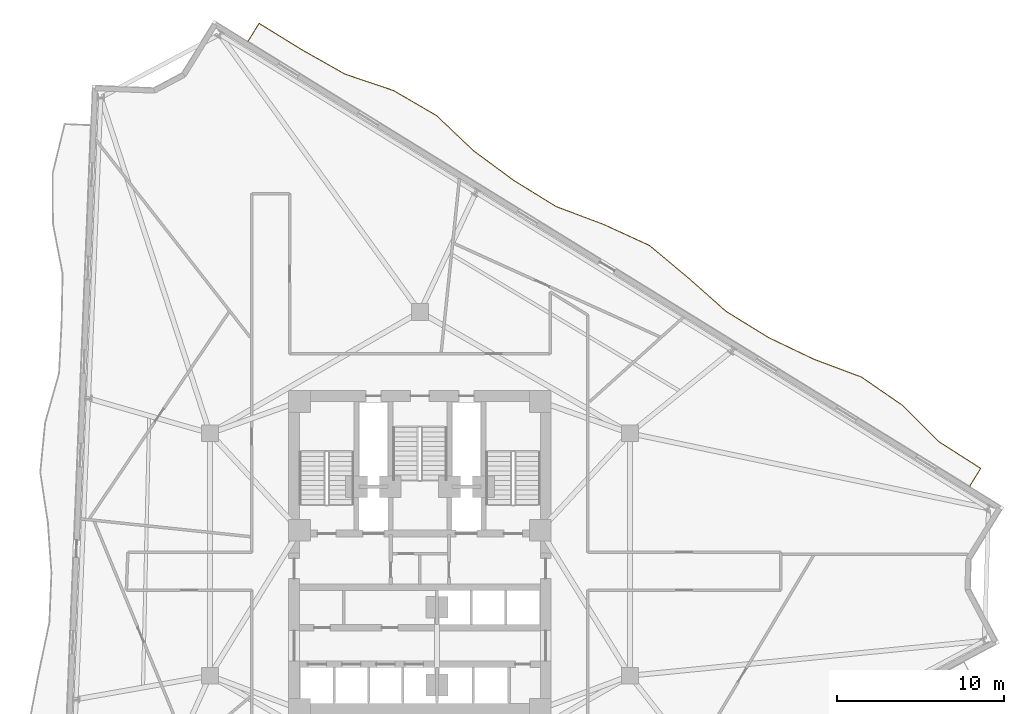
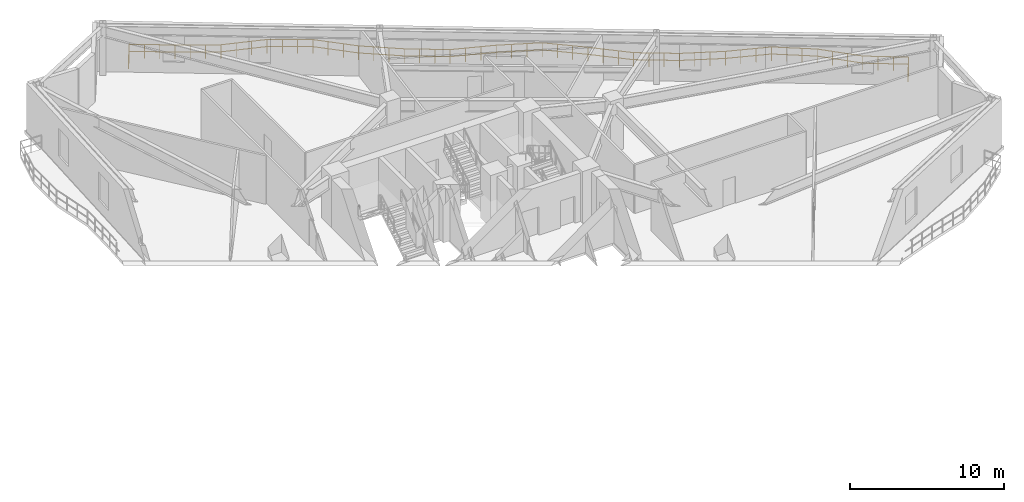
# One storey, part 12 of 12: 1 railing.
"""IFC4 building model written with IfcOpenShell, lengths in metres."""

from ifc_helpers import new_model, si_unit, direction, frame, origin, origin_2d, place, context, subcontext, project, spatial, rectangle, extrude, material, type_object, element, save


model = new_model("IFC4")

# Units and contexts
model_context = context("Model", 3, precision=1e-05, world=origin(), true_north=direction((0.0, 1.0)))
body_context = subcontext(model_context, "Body", "Model", "MODEL_VIEW")
ifc_project = project(units=[si_unit("LENGTHUNIT", "METRE"), si_unit("AREAUNIT", "SQUARE_METRE"), si_unit("VOLUMEUNIT", "CUBIC_METRE"), si_unit("PLANEANGLEUNIT", "RADIAN"), si_unit("MASSUNIT", "GRAM", prefix="KILO")], contexts=[model_context])

# Site, building, storey
site_placement = place(None, origin())
site = spatial("IfcSite", under=ifc_project, at=site_placement, CompositionType="ELEMENT")
building_placement = place(site_placement, origin())
building = spatial("IfcBuilding", under=site, at=building_placement, Name="Apsidion Concourse Tower", CompositionType="ELEMENT")
storey_placement = place(building_placement, frame((0.0, 0.0, 173.699951171875)))
storey = spatial("IfcBuildingStorey", under=building, at=storey_placement, Name="L40", CompositionType="ELEMENT", Elevation=173.699951171875)

# Railing
ifc_material = material(Name="Brushed stainless steel 316", Category="steel")
railing_type = type_object("IfcRailingType", Name="RL-BAL-1120", PredefinedType="BALUSTRADE", material=ifc_material)
railing_placement = place(storey_placement, frame((-10.277587890625, 30.70458984375, 0.0)))
element("IfcRailing", 1, at=railing_placement, inside=storey, type_object=railing_type, Name="L40 Face 3 Rippling Balcony Balustrade", PredefinedType="BALUSTRADE", context=body_context, shape_type="SweptSolid", body=[
    extrude(rectangle(XDim=0.048095703125, YDim=0.048095703125, at=origin_2d()), frame((0.0, 0.0, 1.09619140625), z_axis=(0.524914650279, 0.851154868354, 0.0), x_axis=(-0.851154868354, 0.524914650279, 0.0)), (0.0, 0.0, 1.0), 1.249755859375),
    extrude(rectangle(XDim=0.048095703125, YDim=0.048095703125, at=origin_2d()), frame((0.0, 0.0, 0.5361328125), z_axis=(0.524914650279, 0.851154868354, 0.0), x_axis=(-0.851154868354, 0.524914650279, 0.0)), (0.0, 0.0, 1.0), 1.249755859375),
    extrude(rectangle(XDim=0.048095703125, YDim=0.048095703125, at=origin_2d()), frame((0.656005859375, 1.063720703125, 1.09619140625), z_axis=(0.851183058053, -0.524868937625, 0.0), x_axis=(0.524868937625, 0.851183058053, 0.0)), (0.0, 0.0, 1.0), 2.98291015625),
    extrude(rectangle(XDim=0.048095703125, YDim=0.048095703125, at=origin_2d()), frame((0.656005859375, 1.063720703125, 0.5361328125), z_axis=(0.851183058053, -0.524868937625, 0.0), x_axis=(0.524868937625, 0.851183058053, 0.0)), (0.0, 0.0, 1.0), 2.98291015625),
    extrude(rectangle(XDim=0.048095703125, YDim=0.048095703125, at=origin_2d()), frame((3.195068359375, -0.501953125, 1.09619140625), z_axis=(0.870389131229, -0.492364458748, 0.0), x_axis=(0.492364458748, 0.870389131229, 0.0)), (0.0, 0.0, 1.0), 2.985107421875),
    extrude(rectangle(XDim=0.048095703125, YDim=0.048095703125, at=origin_2d()), frame((3.195068359375, -0.501953125, 0.5361328125), z_axis=(0.870389131229, -0.492364458748, 0.0), x_axis=(0.492364458748, 0.870389131229, 0.0)), (0.0, 0.0, 1.0), 2.985107421875),
    extrude(rectangle(XDim=0.048095703125, YDim=0.048095703125, at=origin_2d()), frame((5.793212890625, -1.9716796875, 1.09619140625), z_axis=(0.947351133553, -0.320196548633, 0.0), x_axis=(0.320196548633, 0.947351133553, 0.0)), (0.0, 0.0, 1.0), 3.061279296875),
    extrude(rectangle(XDim=0.048095703125, YDim=0.048095703125, at=origin_2d()), frame((5.793212890625, -1.9716796875, 0.5361328125), z_axis=(0.947351133553, -0.320196548633, 0.0), x_axis=(0.320196548633, 0.947351133553, 0.0)), (0.0, 0.0, 1.0), 3.061279296875),
    extrude(rectangle(XDim=0.048095703125, YDim=0.048095703125, at=origin_2d()), frame((8.693359375, -2.951904296875, 1.09619140625), z_axis=(0.864268143203, -0.503031387335, 0.0), x_axis=(0.503031387335, 0.864268143203, 0.0)), (0.0, 0.0, 1.0), 2.98388671875),
    extrude(rectangle(XDim=0.048095703125, YDim=0.048095703125, at=origin_2d()), frame((8.693359375, -2.951904296875, 0.5361328125), z_axis=(0.864268143203, -0.503031387335, 0.0), x_axis=(0.503031387335, 0.864268143203, 0.0)), (0.0, 0.0, 1.0), 2.98388671875),
    extrude(rectangle(XDim=0.048095703125, YDim=0.048095703125, at=origin_2d()), frame((11.272216796875, -4.452880859375, 1.09619140625), z_axis=(0.724583421385, -0.689187104823, 0.0), x_axis=(0.689187104823, 0.724583421385, 0.0)), (0.0, 0.0, 1.0), 3.048583984375),
    extrude(rectangle(XDim=0.048095703125, YDim=0.048095703125, at=origin_2d()), frame((11.272216796875, -4.452880859375, 0.5361328125), z_axis=(0.724583421385, -0.689187104823, 0.0), x_axis=(0.689187104823, 0.724583421385, 0.0)), (0.0, 0.0, 1.0), 3.048583984375),
    extrude(rectangle(XDim=0.048095703125, YDim=0.048095703125, at=origin_2d()), frame((13.481201171875, -6.553955078125, 1.09619140625), z_axis=(0.804760537313, -0.593599593652, 0.0), x_axis=(0.593599593652, 0.804760537313, 0.0)), (0.0, 0.0, 1.0), 2.993408203125),
    extrude(rectangle(XDim=0.048095703125, YDim=0.048095703125, at=origin_2d()), frame((13.481201171875, -6.553955078125, 0.5361328125), z_axis=(0.804760537313, -0.593599593652, 0.0), x_axis=(0.593599593652, 0.804760537313, 0.0)), (0.0, 0.0, 1.0), 2.993408203125),
    extrude(rectangle(XDim=0.048095703125, YDim=0.048095703125, at=origin_2d()), frame((15.89013671875, -8.330810546875, 1.09619140625), z_axis=(0.851183058053, -0.524868937625, 0.0), x_axis=(0.524868937625, 0.851183058053, 0.0)), (0.0, 0.0, 1.0), 2.98291015625),
    extrude(rectangle(XDim=0.048095703125, YDim=0.048095703125, at=origin_2d()), frame((15.89013671875, -8.330810546875, 0.5361328125), z_axis=(0.851183058053, -0.524868937625, 0.0), x_axis=(0.524868937625, 0.851183058053, 0.0)), (0.0, 0.0, 1.0), 2.98291015625),
    extrude(rectangle(XDim=0.048095703125, YDim=0.048095703125, at=origin_2d()), frame((18.42919921875, -9.896484375, 1.09619140625), z_axis=(0.936223507367, -0.351405099925, 0.0), x_axis=(0.351405099925, 0.936223507367, 0.0)), (0.0, 0.0, 1.0), 3.03955078125),
    extrude(rectangle(XDim=0.048095703125, YDim=0.048095703125, at=origin_2d()), frame((18.42919921875, -9.896484375, 0.5361328125), z_axis=(0.936223507367, -0.351405099925, 0.0), x_axis=(0.351405099925, 0.936223507367, 0.0)), (0.0, 0.0, 1.0), 3.03955078125),
    extrude(rectangle(XDim=0.048095703125, YDim=0.048095703125, at=origin_2d()), frame((21.27490234375, -10.964599609375, 1.09619140625), z_axis=(0.908571861718, -0.417728586638, 0.0), x_axis=(0.417728586638, 0.908571861718, 0.0)), (0.0, 0.0, 1.0), 3.005126953125),
    extrude(rectangle(XDim=0.048095703125, YDim=0.048095703125, at=origin_2d()), frame((21.27490234375, -10.964599609375, 0.5361328125), z_axis=(0.908571861718, -0.417728586638, 0.0), x_axis=(0.417728586638, 0.908571861718, 0.0)), (0.0, 0.0, 1.0), 3.005126953125),
    extrude(rectangle(XDim=0.048095703125, YDim=0.048095703125, at=origin_2d()), frame((24.00537109375, -12.219970703125, 1.09619140625), z_axis=(0.76783599942, -0.640646453198, 0.0), x_axis=(0.640646453198, 0.76783599942, 0.0)), (0.0, 0.0, 1.0), 3.013671875),
    extrude(rectangle(XDim=0.048095703125, YDim=0.048095703125, at=origin_2d()), frame((24.00537109375, -12.219970703125, 0.5361328125), z_axis=(0.76783599942, -0.640646453198, 0.0), x_axis=(0.640646453198, 0.76783599942, 0.0)), (0.0, 0.0, 1.0), 3.013671875),
    extrude(rectangle(XDim=0.048095703125, YDim=0.048095703125, at=origin_2d()), frame((26.3193359375, -14.150634765625, 1.09619140625), z_axis=(0.748280537056, -0.663382422034, 0.0), x_axis=(0.663382422034, 0.748280537056, 0.0)), (0.0, 0.0, 1.0), 3.028076171875),
    extrude(rectangle(XDim=0.048095703125, YDim=0.048095703125, at=origin_2d()), frame((26.3193359375, -14.150634765625, 0.5361328125), z_axis=(0.748280537056, -0.663382422034, 0.0), x_axis=(0.663382422034, 0.748280537056, 0.0)), (0.0, 0.0, 1.0), 3.028076171875),
    extrude(rectangle(XDim=0.048095703125, YDim=0.048095703125, at=origin_2d()), frame((28.585205078125, -16.159423828125, 1.09619140625), z_axis=(0.851183058053, -0.524868937625, 0.0), x_axis=(0.524868937625, 0.851183058053, 0.0)), (0.0, 0.0, 1.0), 2.98291015625),
    extrude(rectangle(XDim=0.048095703125, YDim=0.048095703125, at=origin_2d()), frame((28.585205078125, -16.159423828125, 0.5361328125), z_axis=(0.851183058053, -0.524868937625, 0.0), x_axis=(0.524868937625, 0.851183058053, 0.0)), (0.0, 0.0, 1.0), 2.98291015625),
    extrude(rectangle(XDim=0.048095703125, YDim=0.048095703125, at=origin_2d()), frame((31.124267578125, -17.72509765625, 1.09619140625), z_axis=(0.90191511559, -0.431913329583, 0.0), x_axis=(0.431913329583, 0.90191511559, 0.0)), (0.0, 0.0, 1.0), 2.999755859375),
    extrude(rectangle(XDim=0.048095703125, YDim=0.048095703125, at=origin_2d()), frame((31.124267578125, -17.72509765625, 0.5361328125), z_axis=(0.90191511559, -0.431913329583, 0.0), x_axis=(0.431913329583, 0.90191511559, 0.0)), (0.0, 0.0, 1.0), 2.999755859375),
    extrude(rectangle(XDim=0.048095703125, YDim=0.048095703125, at=origin_2d()), frame((33.829833984375, -19.020751953125, 1.09619140625), z_axis=(0.936619257349, -0.350348921452, 0.0), x_axis=(0.350348921452, 0.936619257349, 0.0)), (0.0, 0.0, 1.0), 3.040283203125),
    extrude(rectangle(XDim=0.048095703125, YDim=0.048095703125, at=origin_2d()), frame((33.829833984375, -19.020751953125, 0.5361328125), z_axis=(0.936619257349, -0.350348921452, 0.0), x_axis=(0.350348921452, 0.936619257349, 0.0)), (0.0, 0.0, 1.0), 3.040283203125),
    extrude(rectangle(XDim=0.048095703125, YDim=0.048095703125, at=origin_2d()), frame((36.677490234375, -20.0859375, 1.09619140625), z_axis=(0.823361614337, -0.567517094048, 0.0), x_axis=(0.567517094048, 0.823361614337, 0.0)), (0.0, 0.0, 1.0), 2.98681640625),
    extrude(rectangle(XDim=0.048095703125, YDim=0.048095703125, at=origin_2d()), frame((36.677490234375, -20.0859375, 0.5361328125), z_axis=(0.823361614337, -0.567517094048, 0.0), x_axis=(0.567517094048, 0.823361614337, 0.0)), (0.0, 0.0, 1.0), 2.98681640625),
    extrude(rectangle(XDim=0.048095703125, YDim=0.048095703125, at=origin_2d()), frame((39.13671875, -21.781005859375, 1.09619140625), z_axis=(0.707305859634, -0.706907646674, 0.0), x_axis=(0.706907646674, 0.707305859634, 0.0)), (0.0, 0.0, 1.0), 3.0654296875),
    extrude(rectangle(XDim=0.048095703125, YDim=0.048095703125, at=origin_2d()), frame((39.13671875, -21.781005859375, 0.5361328125), z_axis=(0.707305859634, -0.706907646674, 0.0), x_axis=(0.706907646674, 0.707305859634, 0.0)), (0.0, 0.0, 1.0), 3.0654296875),
    extrude(rectangle(XDim=0.048095703125, YDim=0.048095703125, at=origin_2d()), frame((41.304931640625, -23.947998046875, 1.09619140625), z_axis=(0.842743698807, -0.538315017552, 0.0), x_axis=(0.538315017552, 0.842743698807, 0.0)), (0.0, 0.0, 1.0), 2.9833984375),
    extrude(rectangle(XDim=0.048095703125, YDim=0.048095703125, at=origin_2d()), frame((41.304931640625, -23.947998046875, 0.5361328125), z_axis=(0.842743698807, -0.538315017552, 0.0), x_axis=(0.538315017552, 0.842743698807, 0.0)), (0.0, 0.0, 1.0), 2.9833984375),
    extrude(rectangle(XDim=0.048095703125, YDim=0.048095703125, at=origin_2d()), frame((43.819091796875, -25.553955078125, 1.09619140625), z_axis=(-0.524827381313, -0.851208681713, 0.0), x_axis=(0.851208681713, -0.524827381313, 0.0)), (0.0, 0.0, 1.0), 1.25),
    extrude(rectangle(XDim=0.048095703125, YDim=0.048095703125, at=origin_2d()), frame((43.819091796875, -25.553955078125, 0.5361328125), z_axis=(-0.524827381313, -0.851208681713, 0.0), x_axis=(0.851208681713, -0.524827381313, 0.0)), (0.0, 0.0, 1.0), 1.25),
    extrude(rectangle(XDim=0.0419921875, YDim=0.0419921875, at=origin_2d()), origin(), (0.0, 0.0, 1.0), 1.072021484375),
    extrude(rectangle(XDim=0.0419921875, YDim=0.0419921875, at=origin_2d()), frame((0.328125, 0.53173828125, 0.0)), (0.0, 0.0, 1.0), 1.072021484375),
    extrude(rectangle(XDim=0.0419921875, YDim=0.0419921875, at=origin_2d()), frame((0.656005859375, 1.063720703125, 0.0)), (0.0, 0.0, 1.0), 1.072021484375),
    extrude(rectangle(XDim=0.0419921875, YDim=0.0419921875, at=origin_2d()), frame((1.50244140625, 0.541748046875, 0.0)), (0.0, 0.0, 1.0), 1.072021484375),
    extrude(rectangle(XDim=0.0419921875, YDim=0.0419921875, at=origin_2d()), frame((2.3486328125, 0.02001953125, 0.0)), (0.0, 0.0, 1.0), 1.072021484375),
    extrude(rectangle(XDim=0.0419921875, YDim=0.0419921875, at=origin_2d()), frame((3.195068359375, -0.501953125, 0.0)), (0.0, 0.0, 1.0), 1.072021484375),
    extrude(rectangle(XDim=0.0419921875, YDim=0.0419921875, at=origin_2d()), frame((4.06103515625, -0.991943359375, 0.0)), (0.0, 0.0, 1.0), 1.072021484375),
    extrude(rectangle(XDim=0.0419921875, YDim=0.0419921875, at=origin_2d()), frame((4.92724609375, -1.481689453125, 0.0)), (0.0, 0.0, 1.0), 1.072021484375),
    extrude(rectangle(XDim=0.0419921875, YDim=0.0419921875, at=origin_2d()), frame((5.793212890625, -1.9716796875, 0.0)), (0.0, 0.0, 1.0), 1.072021484375),
    extrude(rectangle(XDim=0.0419921875, YDim=0.0419921875, at=origin_2d()), frame((6.760009765625, -2.29833984375, 0.0)), (0.0, 0.0, 1.0), 1.072021484375),
    extrude(rectangle(XDim=0.0419921875, YDim=0.0419921875, at=origin_2d()), frame((7.7265625, -2.625244140625, 0.0)), (0.0, 0.0, 1.0), 1.072021484375),
    extrude(rectangle(XDim=0.0419921875, YDim=0.0419921875, at=origin_2d()), frame((8.693359375, -2.951904296875, 0.0)), (0.0, 0.0, 1.0), 1.072021484375),
    extrude(rectangle(XDim=0.0419921875, YDim=0.0419921875, at=origin_2d()), frame((9.552978515625, -3.4521484375, 0.0)), (0.0, 0.0, 1.0), 1.072021484375),
    extrude(rectangle(XDim=0.0419921875, YDim=0.0419921875, at=origin_2d()), frame((10.41259765625, -3.95263671875, 0.0)), (0.0, 0.0, 1.0), 1.072021484375),
    extrude(rectangle(XDim=0.0419921875, YDim=0.0419921875, at=origin_2d()), frame((11.272216796875, -4.452880859375, 0.0)), (0.0, 0.0, 1.0), 1.072021484375),
    extrude(rectangle(XDim=0.0419921875, YDim=0.0419921875, at=origin_2d()), frame((12.008544921875, -5.1533203125, 0.0)), (0.0, 0.0, 1.0), 1.072021484375),
    extrude(rectangle(XDim=0.0419921875, YDim=0.0419921875, at=origin_2d()), frame((12.744873046875, -5.853515625, 0.0)), (0.0, 0.0, 1.0), 1.072021484375),
    extrude(rectangle(XDim=0.0419921875, YDim=0.0419921875, at=origin_2d()), frame((13.481201171875, -6.553955078125, 0.0)), (0.0, 0.0, 1.0), 1.072021484375),
    extrude(rectangle(XDim=0.0419921875, YDim=0.0419921875, at=origin_2d()), frame((14.2841796875, -7.146240234375, 0.0)), (0.0, 0.0, 1.0), 1.072021484375),
    extrude(rectangle(XDim=0.0419921875, YDim=0.0419921875, at=origin_2d()), frame((15.087158203125, -7.738525390625, 0.0)), (0.0, 0.0, 1.0), 1.072021484375),
    extrude(rectangle(XDim=0.0419921875, YDim=0.0419921875, at=origin_2d()), frame((15.89013671875, -8.330810546875, 0.0)), (0.0, 0.0, 1.0), 1.072021484375),
    extrude(rectangle(XDim=0.0419921875, YDim=0.0419921875, at=origin_2d()), frame((16.736572265625, -8.852783203125, 0.0)), (0.0, 0.0, 1.0), 1.072021484375),
    extrude(rectangle(XDim=0.0419921875, YDim=0.0419921875, at=origin_2d()), frame((17.582763671875, -9.37451171875, 0.0)), (0.0, 0.0, 1.0), 1.072021484375),
    extrude(rectangle(XDim=0.0419921875, YDim=0.0419921875, at=origin_2d()), frame((18.42919921875, -9.896484375, 0.0)), (0.0, 0.0, 1.0), 1.072021484375),
    extrude(rectangle(XDim=0.0419921875, YDim=0.0419921875, at=origin_2d()), frame((19.377685546875, -10.25244140625, 0.0)), (0.0, 0.0, 1.0), 1.072021484375),
    extrude(rectangle(XDim=0.0419921875, YDim=0.0419921875, at=origin_2d()), frame((20.326416015625, -10.608642578125, 0.0)), (0.0, 0.0, 1.0), 1.072021484375),
    extrude(rectangle(XDim=0.0419921875, YDim=0.0419921875, at=origin_2d()), frame((21.27490234375, -10.964599609375, 0.0)), (0.0, 0.0, 1.0), 1.072021484375),
    extrude(rectangle(XDim=0.0419921875, YDim=0.0419921875, at=origin_2d()), frame((22.18505859375, -11.383056640625, 0.0)), (0.0, 0.0, 1.0), 1.072021484375),
    extrude(rectangle(XDim=0.0419921875, YDim=0.0419921875, at=origin_2d()), frame((23.09521484375, -11.801513671875, 0.0)), (0.0, 0.0, 1.0), 1.072021484375),
    extrude(rectangle(XDim=0.0419921875, YDim=0.0419921875, at=origin_2d()), frame((24.00537109375, -12.219970703125, 0.0)), (0.0, 0.0, 1.0), 1.072021484375),
    extrude(rectangle(XDim=0.0419921875, YDim=0.0419921875, at=origin_2d()), frame((24.776611328125, -12.863525390625, 0.0)), (0.0, 0.0, 1.0), 1.072021484375),
    extrude(rectangle(XDim=0.0419921875, YDim=0.0419921875, at=origin_2d()), frame((25.548095703125, -13.507080078125, 0.0)), (0.0, 0.0, 1.0), 1.072021484375),
    extrude(rectangle(XDim=0.0419921875, YDim=0.0419921875, at=origin_2d()), frame((26.3193359375, -14.150634765625, 0.0)), (0.0, 0.0, 1.0), 1.072021484375),
    extrude(rectangle(XDim=0.0419921875, YDim=0.0419921875, at=origin_2d()), frame((27.07470703125, -14.8203125, 0.0)), (0.0, 0.0, 1.0), 1.072021484375),
    extrude(rectangle(XDim=0.0419921875, YDim=0.0419921875, at=origin_2d()), frame((27.829833984375, -15.48974609375, 0.0)), (0.0, 0.0, 1.0), 1.072021484375),
    extrude(rectangle(XDim=0.0419921875, YDim=0.0419921875, at=origin_2d()), frame((28.585205078125, -16.159423828125, 0.0)), (0.0, 0.0, 1.0), 1.072021484375),
    extrude(rectangle(XDim=0.0419921875, YDim=0.0419921875, at=origin_2d()), frame((29.431640625, -16.681396484375, 0.0)), (0.0, 0.0, 1.0), 1.072021484375),
    extrude(rectangle(XDim=0.0419921875, YDim=0.0419921875, at=origin_2d()), frame((30.27783203125, -17.203125, 0.0)), (0.0, 0.0, 1.0), 1.072021484375),
    extrude(rectangle(XDim=0.0419921875, YDim=0.0419921875, at=origin_2d()), frame((31.124267578125, -17.72509765625, 0.0)), (0.0, 0.0, 1.0), 1.072021484375),
    extrude(rectangle(XDim=0.0419921875, YDim=0.0419921875, at=origin_2d()), frame((32.026123046875, -18.156982421875, 0.0)), (0.0, 0.0, 1.0), 1.072021484375),
    extrude(rectangle(XDim=0.0419921875, YDim=0.0419921875, at=origin_2d()), frame((32.927978515625, -18.5888671875, 0.0)), (0.0, 0.0, 1.0), 1.072021484375),
    extrude(rectangle(XDim=0.0419921875, YDim=0.0419921875, at=origin_2d()), frame((33.829833984375, -19.020751953125, 0.0)), (0.0, 0.0, 1.0), 1.072021484375),
    extrude(rectangle(XDim=0.0419921875, YDim=0.0419921875, at=origin_2d()), frame((34.779052734375, -19.375732421875, 0.0)), (0.0, 0.0, 1.0), 1.072021484375),
    extrude(rectangle(XDim=0.0419921875, YDim=0.0419921875, at=origin_2d()), frame((35.728271484375, -19.73095703125, 0.0)), (0.0, 0.0, 1.0), 1.072021484375),
    extrude(rectangle(XDim=0.0419921875, YDim=0.0419921875, at=origin_2d()), frame((36.677490234375, -20.0859375, 0.0)), (0.0, 0.0, 1.0), 1.072021484375),
    extrude(rectangle(XDim=0.0419921875, YDim=0.0419921875, at=origin_2d()), frame((37.497314453125, -20.65087890625, 0.0)), (0.0, 0.0, 1.0), 1.072021484375),
    extrude(rectangle(XDim=0.0419921875, YDim=0.0419921875, at=origin_2d()), frame((38.31689453125, -21.216064453125, 0.0)), (0.0, 0.0, 1.0), 1.072021484375),
    extrude(rectangle(XDim=0.0419921875, YDim=0.0419921875, at=origin_2d()), frame((39.13671875, -21.781005859375, 0.0)), (0.0, 0.0, 1.0), 1.072021484375),
    extrude(rectangle(XDim=0.0419921875, YDim=0.0419921875, at=origin_2d()), frame((39.859375, -22.50341796875, 0.0)), (0.0, 0.0, 1.0), 1.072021484375),
    extrude(rectangle(XDim=0.0419921875, YDim=0.0419921875, at=origin_2d()), frame((40.582275390625, -23.2255859375, 0.0)), (0.0, 0.0, 1.0), 1.072021484375),
    extrude(rectangle(XDim=0.0419921875, YDim=0.0419921875, at=origin_2d()), frame((41.304931640625, -23.947998046875, 0.0)), (0.0, 0.0, 1.0), 1.072021484375),
    extrude(rectangle(XDim=0.0419921875, YDim=0.0419921875, at=origin_2d()), frame((42.14306640625, -24.4833984375, 0.0)), (0.0, 0.0, 1.0), 1.072021484375),
    extrude(rectangle(XDim=0.0419921875, YDim=0.0419921875, at=origin_2d()), frame((42.98095703125, -25.0185546875, 0.0)), (0.0, 0.0, 1.0), 1.072021484375),
    extrude(rectangle(XDim=0.0419921875, YDim=0.0419921875, at=origin_2d()), frame((43.819091796875, -25.553955078125, 0.0)), (0.0, 0.0, 1.0), 1.072021484375),
    extrude(rectangle(XDim=0.0419921875, YDim=0.0419921875, at=origin_2d()), frame((43.4912109375, -26.0859375, 0.0)), (0.0, 0.0, 1.0), 1.072021484375),
    extrude(rectangle(XDim=0.0419921875, YDim=0.0419921875, at=origin_2d()), frame((43.1630859375, -26.617919921875, 0.0)), (0.0, 0.0, 1.0), 1.072021484375),
])

save(model, "model.ifc")
